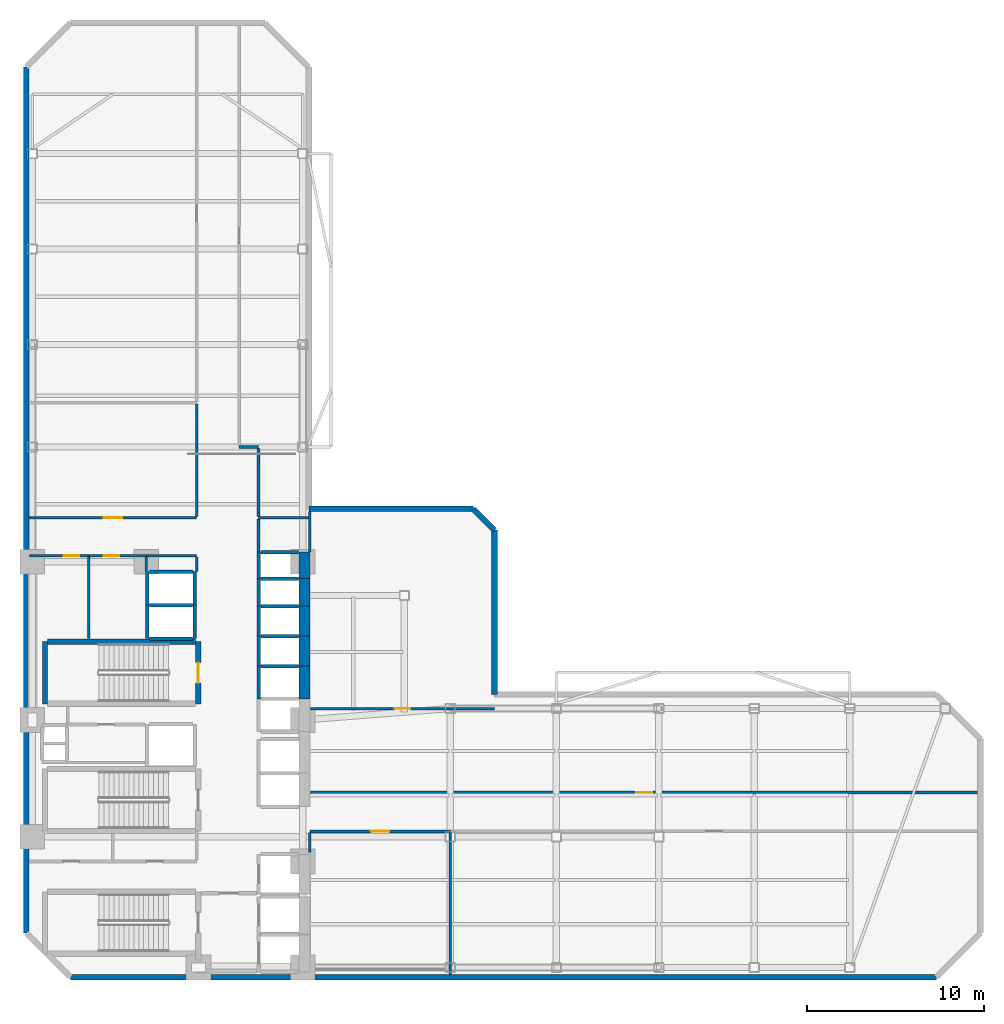
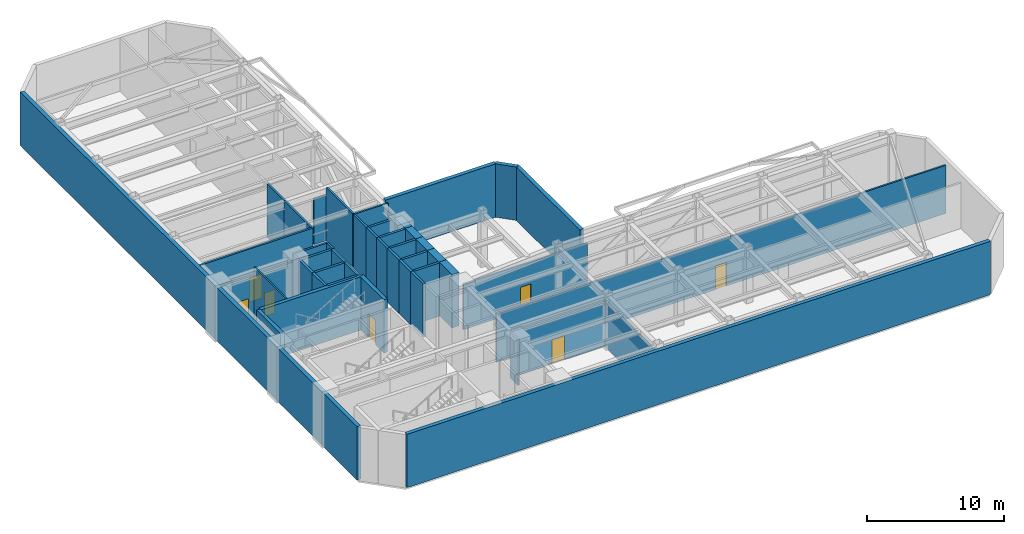
# One storey, part 4 of 7: 49 walls, 7 doors, 7 openings.
"""IFC4 building model written with IfcOpenShell, lengths in metres."""

from ifc_helpers import new_model, si_unit, direction, frame, frame_2d, origin, place, context, subcontext, project, spatial, rectangle, extrude, material, layer, layer_set, type_object, element, fill, save


model = new_model("IFC4")

# Units and contexts
model_context = context("Model", 3, precision=1e-05, world=origin(), true_north=direction((0.0, 1.0)))
body_context = subcontext(model_context, "Body", "Model", "MODEL_VIEW")
ifc_project = project(units=[si_unit("LENGTHUNIT", "METRE"), si_unit("AREAUNIT", "SQUARE_METRE"), si_unit("VOLUMEUNIT", "CUBIC_METRE"), si_unit("PLANEANGLEUNIT", "RADIAN"), si_unit("MASSUNIT", "GRAM", prefix="KILO")], contexts=[model_context])

# Site, building, storey
site_placement = place(None, origin())
site = spatial("IfcSite", under=ifc_project, at=site_placement, CompositionType="ELEMENT")
building_placement = place(site_placement, origin())
building = spatial("IfcBuilding", under=site, at=building_placement, Name="Mawjaban Terraces University", CompositionType="ELEMENT")
storey_placement = place(building_placement, frame((0.0, 0.0, 93.39990234375)))
storey = spatial("IfcBuildingStorey", under=building, at=storey_placement, Name="L22", CompositionType="ELEMENT", Elevation=93.39990234375)

# Walls
ifc_material_1 = material(Name="Concrete C70/85", Category="concrete")
ifc_layer_1 = layer(ifc_material_1, 0.60009765625)
ifc_layer_set_1 = layer_set([ifc_layer_1], Name="Concrete C70/85")
wall_type_1 = type_object("IfcWallType", Name="CoreShearWall_600", PredefinedType="SHEAR", material=ifc_layer_set_1)
wall_1_placement = place(storey_placement, frame((37.75, 15.75, 0.0), z_axis=(0.0, 0.0, 1.0), x_axis=(0.0, 1.0, 0.0)))
element("IfcWall", 1, at=wall_1_placement, inside=storey, type_object=wall_type_1, Name="L22 Lift OL-2 Hoistway Wall East", PredefinedType="SHEAR", context=body_context, shape_type="SweptSolid", body=[
    extrude(rectangle(XDim=1.85009765625, YDim=0.60009765625, at=frame_2d((0.925048828125, 0.0))), origin(), (0.0, 0.0, 1.0), 4.739990234375),
])
for number, where, z_axis, x_axis, name in (
    (2, (37.75, 17.60009765625, 0.0), (0.0, 0.0, 1.0), (0.0, 1.0, 0.0), "L22 Lift PL-M1 Hoistway Wall East"),
    (3, (37.75, 19.300048828125, 0.0), (0.0, 0.0, 1.0), (0.0, 1.0, 0.0), "L22 Lift PL-M2 Hoistway Wall East"),
):
    element("IfcWall", number, at=place(storey_placement, frame(where, z_axis=z_axis, x_axis=x_axis)), inside=storey, type_object=wall_type_1, Name=name, PredefinedType="SHEAR", context=body_context, shape_type="SweptSolid", body=[
        extrude(rectangle(XDim=1.699951171875, YDim=0.60009765625, at=frame_2d((0.85009765625, 0.0))), origin(), (0.0, 0.0, 1.0), 4.739990234375),
    ])
wall_2_placement = place(storey_placement, frame((37.75, 21.0, 0.0), z_axis=(0.0, 0.0, 1.0), x_axis=(0.0, 1.0, 0.0)))
element("IfcWall", 4, at=wall_2_placement, inside=storey, type_object=wall_type_1, Name="L22 Lift PL-L1 Hoistway Wall East", PredefinedType="SHEAR", context=body_context, shape_type="SweptSolid", body=[
    extrude(rectangle(XDim=1.550048828125, YDim=0.60009765625, at=frame_2d((0.77490234375, 0.0))), origin(), (0.0, 0.0, 1.0), 4.739990234375),
])
wall_3_placement = place(storey_placement, frame((37.75, 22.550048828125, 0.0), z_axis=(0.0, 0.0, 1.0), x_axis=(0.0, 1.0, 0.0)))
element("IfcWall", 5, at=wall_3_placement, inside=storey, type_object=wall_type_1, Name="L22 Lift PL-L2 Hoistway Wall East", PredefinedType="SHEAR", context=body_context, shape_type="SweptSolid", body=[
    extrude(rectangle(XDim=1.5, YDim=0.60009765625, at=frame_2d((0.75, 0.0))), origin(), (0.0, 0.0, 1.0), 4.739990234375),
])

# Wall, opening, door
ifc_material_2 = material(Name="Fire-rated gypsum board on steel stud", Category="steel")
ifc_layer_2 = layer(ifc_material_2, 0.159912109375)
ifc_layer_set_2 = layer_set([ifc_layer_2], Name="Fire-rated gypsum board on steel stud")
wall_type_2 = type_object("IfcWallType", Name="CorridorPartition_160", PredefinedType="PARTITIONING", material=ifc_layer_set_2)
wall_4_placement = place(storey_placement, frame((25.550048828125, 23.85009765625, 0.0), z_axis=(0.0, 0.0, 1.0), x_axis=(-1.0, 0.0, 0.0)))
wall_4 = element("IfcWall", 6, at=wall_4_placement, inside=storey, type_object=wall_type_2, Name="L22 Female Toilet Partition 3", PredefinedType="PARTITIONING", context=body_context, shape_type="SweptSolid", body=[
    extrude(rectangle(XDim=3.35009765625, YDim=0.159912109375, at=frame_2d((1.675048828125, 0.0))), origin(), (0.0, 0.0, 1.0), 4.045166015625),
])
opening_1_placement = place(wall_4_placement, frame((0.534912109375, 0.0, 0.0)))
opening_1 = element("IfcOpeningElement", 7, at=opening_1_placement, cuts=wall_4, Name="Opening ID-088", PredefinedType="OPENING", context=body_context, shape_type="SweptSolid", body=[
    extrude(rectangle(XDim=0.8798828125, YDim=2.10009765625, at=frame_2d((0.43994140625, 1.050048828125))), frame((0.0, 0.08984375, 0.0), z_axis=(0.0, -1.0, 0.0), x_axis=(1.0, 0.0, 0.0)), (0.0, 0.0, 1.0), 0.179931640625),
])
ifc_material_3 = material(Name="Powder-coated steel frame and solid acoustic timber leaf", Category="steel")
door_type_1 = type_object("IfcDoorType", Name="ToiletDoor_880x2100", OperationType="NOTDEFINED", PredefinedType="DOOR", material=ifc_material_3)
door_1_placement = place(opening_1_placement, origin())
door_1 = element("IfcDoor", 8, at=door_1_placement, inside=storey, type_object=door_type_1, Name="L22 Female Toilet Door", OperationType="SINGLE_SWING_RIGHT", OverallHeight=2.10009765625, OverallWidth=0.8798828125, PredefinedType="DOOR", context=body_context, shape_type="SweptSolid", body=[
    extrude(rectangle(XDim=0.8798828125, YDim=2.10009765625, at=frame_2d((0.43994140625, 1.050048828125))), frame((0.0, 0.02490234375, 0.0), z_axis=(0.0, -1.0, 0.0), x_axis=(1.0, 0.0, 0.0)), (0.0, 0.0, 1.0), 0.050048828125),
])
fill(opening_1, door_1)

wall_5_placement = place(storey_placement, frame((28.800048828125, 23.85009765625, 0.0), z_axis=(0.0, 0.0, 1.0), x_axis=(-1.0, 0.0, 0.0)))
wall_5 = element("IfcWall", 9, at=wall_5_placement, inside=storey, type_object=wall_type_2, Name="L22 Control Telemetry Room Partition 5", PredefinedType="PARTITIONING", context=body_context, shape_type="SweptSolid", body=[
    extrude(rectangle(XDim=3.25, YDim=0.159912109375, at=frame_2d((1.625, 0.0))), origin(), (0.0, 0.0, 1.0), 4.045166015625),
])
opening_2_placement = place(wall_5_placement, frame((1.52490234375, 0.0, 0.0)))
opening_2 = element("IfcOpeningElement", 10, at=opening_2_placement, cuts=wall_5, Name="Opening ID-090", PredefinedType="OPENING", context=body_context, shape_type="SweptSolid", body=[
    extrude(rectangle(XDim=0.89990234375, YDim=2.10009765625, at=frame_2d((0.449951171875, 1.050048828125))), frame((0.0, 0.08984375, 0.0), z_axis=(0.0, -1.0, 0.0), x_axis=(1.0, 0.0, 0.0)), (0.0, 0.0, 1.0), 0.179931640625),
])
door_type_2 = type_object("IfcDoorType", Name="OfficeDoor_900x2100", OperationType="NOTDEFINED", PredefinedType="DOOR", material=ifc_material_3)
door_2_placement = place(opening_2_placement, origin())
door_2 = element("IfcDoor", 11, at=door_2_placement, inside=storey, type_object=door_type_2, Name="L22 Control Telemetry Room Door", OperationType="SINGLE_SWING_LEFT", OverallHeight=2.10009765625, OverallWidth=0.89990234375, PredefinedType="DOOR", context=body_context, shape_type="SweptSolid", body=[
    extrude(rectangle(XDim=0.89990234375, YDim=2.10009765625, at=frame_2d((0.449951171875, 1.050048828125))), frame((0.0, 0.02490234375, 0.0), z_axis=(0.0, -1.0, 0.0), x_axis=(1.0, 0.0, 0.0)), (0.0, 0.0, 1.0), 0.050048828125),
])
fill(opening_2, door_2)

# Wall
wall_6_placement = place(storey_placement, frame((28.800048828125, 23.85009765625, 0.0), z_axis=(0.0, 0.0, 1.0), x_axis=(1.0, 0.0, 0.0)))
element("IfcWall", 12, at=wall_6_placement, inside=storey, type_object=wall_type_2, Name="L22 North Core Cross-Corridor Partition 6", PredefinedType="PARTITIONING", context=body_context, shape_type="SweptSolid", body=[
    extrude(rectangle(XDim=2.849853515625, YDim=0.159912109375, at=frame_2d((1.4248046875, 0.0))), origin(), (0.0, 0.0, 1.0), 4.739990234375),
])

# Wall, opening, door
wall_7_placement = place(storey_placement, frame((31.64990234375, 26.0, 0.0), z_axis=(0.0, 0.0, 1.0), x_axis=(-1.0, 0.0, 0.0)))
wall_7 = element("IfcWall", 13, at=wall_7_placement, inside=storey, type_object=wall_type_2, Name="L22 North Core Cross-Corridor Partition 9", PredefinedType="PARTITIONING", context=body_context, shape_type="SweptSolid", body=[
    extrude(rectangle(XDim=9.494873046875, YDim=0.159912109375, at=frame_2d((4.74755859375, 0.0))), origin(), (0.0, 0.0, 1.0), 4.739990234375),
])
opening_3_placement = place(wall_7_placement, frame((4.221923828125, 0.0, 0.0)))
opening_3 = element("IfcOpeningElement", 14, at=opening_3_placement, cuts=wall_7, Name="Opening FD-105", PredefinedType="OPENING", context=body_context, shape_type="SweptSolid", body=[
    extrude(rectangle(XDim=1.050048828125, YDim=2.14990234375, at=frame_2d((0.52490234375, 1.074951171875))), frame((0.0, 0.08984375, 0.0), z_axis=(0.0, -1.0, 0.0), x_axis=(1.0, 0.0, 0.0)), (0.0, 0.0, 1.0), 0.179931640625),
])
ifc_material_4 = material(Name="Powder-coated steel frame and fire-rated steel-faced leaf", Category="steel")
door_type_3 = type_object("IfcDoorType", Name="FireLobbyDoor_1050x2150", OperationType="NOTDEFINED", PredefinedType="DOOR", material=ifc_material_4)
door_3_placement = place(opening_3_placement, origin())
door_3 = element("IfcDoor", 15, at=door_3_placement, inside=storey, type_object=door_type_3, Name="L22 Designated Smoke-Protected Refuge Area North Door", OperationType="SINGLE_SWING_LEFT", OverallHeight=2.14990234375, OverallWidth=1.050048828125, PredefinedType="DOOR", context=body_context, shape_type="SweptSolid", body=[
    extrude(rectangle(XDim=1.050048828125, YDim=2.14990234375, at=frame_2d((0.52490234375, 1.074951171875))), frame((0.0, 0.02490234375, 0.0), z_axis=(0.0, -1.0, 0.0), x_axis=(1.0, 0.0, 0.0)), (0.0, 0.0, 1.0), 0.050048828125),
])
fill(opening_3, door_3)

# Wall
wall_8_placement = place(storey_placement, frame((35.14990234375, 30.0, 0.0), z_axis=(0.0, 0.0, 1.0), x_axis=(-1.0, 0.0, 0.0)))
element("IfcWall", 16, at=wall_8_placement, inside=storey, type_object=wall_type_2, Name="L22 North Stair Refuge Vestibule Lobby Partition 13", PredefinedType="PARTITIONING", context=body_context, shape_type="SweptSolid", body=[
    extrude(rectangle(XDim=1.099853515625, YDim=0.159912109375, at=frame_2d((0.5498046875, 0.0))), origin(), (0.0, 0.0, 1.0), 4.045166015625),
])

# Wall, opening, door
wall_9_placement = place(storey_placement, frame((46.0, 8.25, 0.0), z_axis=(0.0, 0.0, 1.0), x_axis=(-1.0, 0.0, 0.0)))
wall_9 = element("IfcWall", 17, at=wall_9_placement, inside=storey, type_object=wall_type_2, Name="L22 Designated Smoke-Protected Refuge Area East Partition 14", PredefinedType="PARTITIONING", context=body_context, shape_type="SweptSolid", body=[
    extrude(rectangle(XDim=7.949951171875, YDim=0.159912109375, at=frame_2d((3.97509765625, 0.0))), origin(), (0.0, 0.0, 1.0), 4.045166015625),
])
opening_4_placement = place(wall_9_placement, frame((3.449951171875, 0.0, 0.0)))
opening_4 = element("IfcOpeningElement", 18, at=opening_4_placement, cuts=wall_9, Name="Opening FD-105", PredefinedType="OPENING", context=body_context, shape_type="SweptSolid", body=[
    extrude(rectangle(XDim=1.050048828125, YDim=2.14990234375, at=frame_2d((0.52490234375, 1.074951171875))), frame((0.0, 0.08984375, 0.0), z_axis=(0.0, -1.0, 0.0), x_axis=(1.0, 0.0, 0.0)), (0.0, 0.0, 1.0), 0.179931640625),
])
door_4_placement = place(opening_4_placement, origin())
door_4 = element("IfcDoor", 19, at=door_4_placement, inside=storey, type_object=door_type_3, Name="L22 Designated Smoke-Protected Refuge Area East Door", OperationType="SINGLE_SWING_RIGHT", OverallHeight=2.14990234375, OverallWidth=1.050048828125, PredefinedType="DOOR", context=body_context, shape_type="SweptSolid", body=[
    extrude(rectangle(XDim=1.050048828125, YDim=2.14990234375, at=frame_2d((0.52490234375, 1.074951171875))), frame((0.0, 0.02490234375, 0.0), z_axis=(0.0, -1.0, 0.0), x_axis=(1.0, 0.0, 0.0)), (0.0, 0.0, 1.0), 0.050048828125),
])
fill(opening_4, door_4)

# Walls
wall_10_placement = place(storey_placement, frame((31.64990234375, 23.77490234375, 0.0), z_axis=(0.0, 0.0, 1.0), x_axis=(0.0, -1.0, 0.0)))
element("IfcWall", 20, at=wall_10_placement, inside=storey, type_object=wall_type_2, Name="L22 Passenger Lift Lobby Partition 24", PredefinedType="PARTITIONING", context=body_context, shape_type="SweptSolid", body=[
    extrude(rectangle(XDim=0.824951171875, YDim=0.159912109375, at=frame_2d((0.41259765625, 0.0))), origin(), (0.0, 0.0, 1.0), 4.739990234375),
])
wall_11_placement = place(storey_placement, frame((31.64990234375, 30.0, 0.0), z_axis=(0.0, 0.0, 1.0), x_axis=(0.0, -1.0, 0.0)))
element("IfcWall", 21, at=wall_11_placement, inside=storey, type_object=wall_type_2, Name="L22 North Stair Refuge Vestibule Lobby Partition 25", PredefinedType="PARTITIONING", context=body_context, shape_type="SweptSolid", body=[
    extrude(rectangle(XDim=3.925048828125, YDim=0.159912109375, at=frame_2d((1.96240234375, 0.0))), origin(), (0.0, 0.0, 1.0), 4.739990234375),
])
wall_12_placement = place(storey_placement, frame((31.64990234375, 30.0, 0.0), z_axis=(0.0, 0.0, 1.0), x_axis=(0.0, 1.0, 0.0)))
element("IfcWall", 22, at=wall_12_placement, inside=storey, type_object=wall_type_2, Name="L22 Designated Smoke-Protected Refuge Area North Partition 26", PredefinedType="PARTITIONING", context=body_context, shape_type="SweptSolid", body=[
    extrude(rectangle(XDim=2.425048828125, YDim=0.159912109375, at=frame_2d((1.21240234375, 0.0))), origin(), (0.0, 0.0, 1.0), 4.739990234375),
])
wall_13_placement = place(storey_placement, frame((35.14990234375, 24.070068359375, 0.0), z_axis=(0.0, 0.0, 1.0), x_axis=(0.0, 1.0, 0.0)))
element("IfcWall", 23, at=wall_13_placement, inside=storey, type_object=wall_type_2, Name="L22 North Core Cross-Corridor Partition 29", PredefinedType="PARTITIONING", context=body_context, shape_type="SweptSolid", body=[
    extrude(rectangle(XDim=1.863037109375, YDim=0.159912109375, at=frame_2d((0.931640625, 0.0))), origin(), (0.0, 0.0, 1.0), 4.739990234375),
])
wall_14_placement = place(storey_placement, frame((35.14990234375, 26.06689453125, 0.0), z_axis=(0.0, 0.0, 1.0), x_axis=(0.0, 1.0, 0.0)))
element("IfcWall", 24, at=wall_14_placement, inside=storey, type_object=wall_type_2, Name="L22 North Stair Refuge Vestibule Lobby Partition 30", PredefinedType="PARTITIONING", context=body_context, shape_type="SweptSolid", body=[
    extrude(rectangle(XDim=3.858154296875, YDim=0.159912109375, at=frame_2d((1.92919921875, 0.0))), origin(), (0.0, 0.0, 1.0), 4.739990234375),
])
wall_15_placement = place(storey_placement, frame((38.050048828125, 7.050048828125, 0.0), z_axis=(0.0, 0.0, 1.0), x_axis=(0.0, 1.0, 0.0)))
element("IfcWall", 25, at=wall_15_placement, inside=storey, type_object=wall_type_2, Name="L22 Core Stair and Lift Lobby East Partition 31", PredefinedType="PARTITIONING", context=body_context, shape_type="SweptSolid", body=[
    extrude(rectangle(XDim=1.125, YDim=0.159912109375, at=frame_2d((0.5625, 0.0))), origin(), (0.0, 0.0, 1.0), 4.045166015625),
])
wall_16_placement = place(storey_placement, frame((46.0, 0.155029296875, 0.0), z_axis=(0.0, 0.0, 1.0), x_axis=(0.0, 1.0, 0.0)))
element("IfcWall", 26, at=wall_16_placement, inside=storey, type_object=wall_type_2, Name="L22 Designated Smoke-Protected Refuge Area East Partition 33", PredefinedType="PARTITIONING", context=body_context, shape_type="SweptSolid", body=[
    extrude(rectangle(XDim=8.02001953125, YDim=0.159912109375, at=frame_2d((4.010009765625, 0.0))), origin(), (0.0, 0.0, 1.0), 4.045166015625),
])
ifc_material_5 = material(Name="Insulated terracotta rainscreen on concrete backup C40/50", Category="masonry")
ifc_layer_3 = layer(ifc_material_5, 0.320068359375)
ifc_layer_set_3 = layer_set([ifc_layer_3], Name="Insulated terracotta rainscreen on concrete backup C40/50")
wall_type_3 = type_object("IfcWallType", Name="ExtTerracottaWall_320", PredefinedType="SOLIDWALL", material=ifc_layer_set_3)
wall_17_placement = place(storey_placement, frame((24.5, 0.0, 0.0), z_axis=(0.0, 0.0, 1.0), x_axis=(1.0, 0.0, 0.0)))
element("IfcWall", 27, at=wall_17_placement, inside=storey, type_object=wall_type_3, Name="L22 Exterior Terracotta Wall 1", PredefinedType="SOLIDWALL", context=body_context, shape_type="SweptSolid", body=[
    extrude(rectangle(XDim=49.0, YDim=0.320068359375, at=frame_2d((24.5, 0.0))), origin(), (0.0, 0.0, 1.0), 4.739990234375),
])
wall_18_placement = place(storey_placement, frame((48.5, 16.0, 0.0), z_axis=(0.0, 0.0, 1.0), x_axis=(0.0, 1.0, 0.0)))
element("IfcWall", 28, at=wall_18_placement, inside=storey, type_object=wall_type_3, Name="L22 Exterior Terracotta Wall 6", PredefinedType="SOLIDWALL", context=body_context, shape_type="SweptSolid", body=[
    extrude(rectangle(XDim=9.300048828125, YDim=0.320068359375, at=frame_2d((4.64990234375, 0.0))), origin(), (0.0, 0.0, 1.0), 4.739990234375),
])
wall_19_placement = place(storey_placement, frame((48.5, 25.300048828125, 0.0), z_axis=(0.0, 0.0, 1.0), x_axis=(-0.707106781187, 0.707106781187, 0.0)))
element("IfcWall", 29, at=wall_19_placement, inside=storey, type_object=wall_type_3, Name="L22 Exterior Terracotta Wall 7", PredefinedType="SOLIDWALL", context=body_context, shape_type="SweptSolid", body=[
    extrude(rectangle(XDim=1.697021484375, YDim=0.320068359375, at=frame_2d((0.8486328125, 0.0))), origin(), (0.0, 0.0, 1.0), 4.739990234375),
])
wall_20_placement = place(storey_placement, frame((47.300048828125, 26.5, 0.0), z_axis=(0.0, 0.0, 1.0), x_axis=(-1.0, 0.0, 0.0)))
element("IfcWall", 30, at=wall_20_placement, inside=storey, type_object=wall_type_3, Name="L22 Exterior Terracotta Wall 8", PredefinedType="SOLIDWALL", context=body_context, shape_type="SweptSolid", body=[
    extrude(rectangle(XDim=9.300048828125, YDim=0.320068359375, at=frame_2d((4.64990234375, 0.0))), origin(), (0.0, 0.0, 1.0), 4.739990234375),
])
wall_21_placement = place(storey_placement, frame((22.0, 51.5, 0.0), z_axis=(0.0, 0.0, 1.0), x_axis=(0.0, -1.0, 0.0)))
element("IfcWall", 31, at=wall_21_placement, inside=storey, type_object=wall_type_3, Name="L22 Exterior Terracotta Wall 13", PredefinedType="SOLIDWALL", context=body_context, shape_type="SweptSolid", body=[
    extrude(rectangle(XDim=49.0, YDim=0.320068359375, at=frame_2d((24.5, 0.0))), origin(), (0.0, 0.0, 1.0), 4.739990234375),
])
ifc_material_6 = material(Name="Concrete C40/50", Category="concrete")
ifc_layer_4 = layer(ifc_material_6, 0.199951171875)
ifc_layer_set_4 = layer_set([ifc_layer_4], Name="Concrete C40/50")
wall_type_4 = type_object("IfcWallType", Name="FireLobbyWall_200", PredefinedType="SOLIDWALL", material=ifc_layer_set_4)
wall_22_placement = place(storey_placement, frame((35.14990234375, 17.60009765625, 0.0), z_axis=(0.0, 0.0, 1.0), x_axis=(0.0, -1.0, 0.0)))
element("IfcWall", 32, at=wall_22_placement, inside=storey, type_object=wall_type_4, Name="L22 Lift OL-2 Hoistway Wall West", PredefinedType="SOLIDWALL", context=body_context, shape_type="SweptSolid", body=[
    extrude(rectangle(XDim=1.85009765625, YDim=0.199951171875, at=frame_2d((0.925048828125, 0.0))), origin(), (0.0, 0.0, 1.0), 4.739990234375),
])
wall_23_placement = place(storey_placement, frame((37.419921875, 17.60009765625, 0.0), z_axis=(0.0, 0.0, 1.0), x_axis=(-1.0, 0.0, 0.0)))
element("IfcWall", 33, at=wall_23_placement, inside=storey, type_object=wall_type_4, Name="L22 Lift OL-2 Hoistway Wall North", PredefinedType="SOLIDWALL", context=body_context, shape_type="SweptSolid", body=[
    extrude(rectangle(XDim=2.139892578125, YDim=0.199951171875, at=frame_2d((1.06982421875, 0.0))), origin(), (0.0, 0.0, 1.0), 4.739990234375),
])
wall_24_placement = place(storey_placement, frame((35.14990234375, 19.300048828125, 0.0), z_axis=(0.0, 0.0, 1.0), x_axis=(0.0, -1.0, 0.0)))
element("IfcWall", 34, at=wall_24_placement, inside=storey, type_object=wall_type_4, Name="L22 Lift PL-M1 Hoistway Wall West", PredefinedType="SOLIDWALL", context=body_context, shape_type="SweptSolid", body=[
    extrude(rectangle(XDim=1.699951171875, YDim=0.199951171875, at=frame_2d((0.85009765625, 0.0))), origin(), (0.0, 0.0, 1.0), 4.739990234375),
])
wall_25_placement = place(storey_placement, frame((37.419921875, 19.300048828125, 0.0), z_axis=(0.0, 0.0, 1.0), x_axis=(-1.0, 0.0, 0.0)))
element("IfcWall", 35, at=wall_25_placement, inside=storey, type_object=wall_type_4, Name="L22 Lift PL-M1 Hoistway Wall North", PredefinedType="SOLIDWALL", context=body_context, shape_type="SweptSolid", body=[
    extrude(rectangle(XDim=2.139892578125, YDim=0.199951171875, at=frame_2d((1.06982421875, 0.0))), origin(), (0.0, 0.0, 1.0), 4.739990234375),
])
wall_26_placement = place(storey_placement, frame((35.14990234375, 21.0, 0.0), z_axis=(0.0, 0.0, 1.0), x_axis=(0.0, -1.0, 0.0)))
element("IfcWall", 36, at=wall_26_placement, inside=storey, type_object=wall_type_4, Name="L22 Lift PL-M2 Hoistway Wall West", PredefinedType="SOLIDWALL", context=body_context, shape_type="SweptSolid", body=[
    extrude(rectangle(XDim=1.699951171875, YDim=0.199951171875, at=frame_2d((0.85009765625, 0.0))), origin(), (0.0, 0.0, 1.0), 4.739990234375),
])
wall_27_placement = place(storey_placement, frame((37.419921875, 21.0, 0.0), z_axis=(0.0, 0.0, 1.0), x_axis=(-1.0, 0.0, 0.0)))
element("IfcWall", 37, at=wall_27_placement, inside=storey, type_object=wall_type_4, Name="L22 Lift PL-M2 Hoistway Wall North", PredefinedType="SOLIDWALL", context=body_context, shape_type="SweptSolid", body=[
    extrude(rectangle(XDim=2.139892578125, YDim=0.199951171875, at=frame_2d((1.06982421875, 0.0))), origin(), (0.0, 0.0, 1.0), 4.739990234375),
])
for number, where, z_axis, x_axis, name in (
    (38, (28.85009765625, 21.050048828125, 0.0), (0.0, 0.0, 1.0), (0.0, -1.0, 0.0), "L22 Lift PL-M3 Hoistway Wall West"),
    (39, (31.550048828125, 19.14990234375, 0.0), (0.0, 0.0, 1.0), (0.0, 1.0, 0.0), "L22 Lift PL-M3 Hoistway Wall East"),
):
    element("IfcWall", number, at=place(storey_placement, frame(where, z_axis=z_axis, x_axis=x_axis)), inside=storey, type_object=wall_type_4, Name=name, PredefinedType="SOLIDWALL", context=body_context, shape_type="SweptSolid", body=[
        extrude(rectangle(XDim=1.900146484375, YDim=0.199951171875, at=frame_2d((0.9501953125, 0.0))), origin(), (0.0, 0.0, 1.0), 4.739990234375),
    ])
for number, where, z_axis, x_axis, name in (
    (40, (28.97998046875, 19.14990234375, 0.0), (0.0, 0.0, 1.0), (1.0, 0.0, 0.0), "L22 Lift PL-M3 Hoistway Wall South"),
    (41, (31.419921875, 21.050048828125, 0.0), (0.0, 0.0, 1.0), (-1.0, 0.0, 0.0), "L22 Lift PL-M3 Hoistway Wall North"),
):
    element("IfcWall", number, at=place(storey_placement, frame(where, z_axis=z_axis, x_axis=x_axis)), inside=storey, type_object=wall_type_4, Name=name, PredefinedType="SOLIDWALL", context=body_context, shape_type="SweptSolid", body=[
        extrude(rectangle(XDim=2.43994140625, YDim=0.199951171875, at=frame_2d((1.219970703125, 0.0))), origin(), (0.0, 0.0, 1.0), 4.739990234375),
    ])
wall_28_placement = place(storey_placement, frame((35.14990234375, 22.550048828125, 0.0), z_axis=(0.0, 0.0, 1.0), x_axis=(0.0, -1.0, 0.0)))
element("IfcWall", 42, at=wall_28_placement, inside=storey, type_object=wall_type_4, Name="L22 Lift PL-L1 Hoistway Wall West", PredefinedType="SOLIDWALL", context=body_context, shape_type="SweptSolid", body=[
    extrude(rectangle(XDim=1.550048828125, YDim=0.199951171875, at=frame_2d((0.77490234375, 0.0))), origin(), (0.0, 0.0, 1.0), 4.739990234375),
])
wall_29_placement = place(storey_placement, frame((37.419921875, 22.550048828125, 0.0), z_axis=(0.0, 0.0, 1.0), x_axis=(-1.0, 0.0, 0.0)))
element("IfcWall", 43, at=wall_29_placement, inside=storey, type_object=wall_type_4, Name="L22 Lift PL-L1 Hoistway Wall North", PredefinedType="SOLIDWALL", context=body_context, shape_type="SweptSolid", body=[
    extrude(rectangle(XDim=2.139892578125, YDim=0.199951171875, at=frame_2d((1.06982421875, 0.0))), origin(), (0.0, 0.0, 1.0), 4.739990234375),
])
wall_30_placement = place(storey_placement, frame((35.14990234375, 24.050048828125, 0.0), z_axis=(0.0, 0.0, 1.0), x_axis=(0.0, -1.0, 0.0)))
element("IfcWall", 44, at=wall_30_placement, inside=storey, type_object=wall_type_4, Name="L22 Lift PL-L2 Hoistway Wall West", PredefinedType="SOLIDWALL", context=body_context, shape_type="SweptSolid", body=[
    extrude(rectangle(XDim=1.5, YDim=0.199951171875, at=frame_2d((0.75, 0.0))), origin(), (0.0, 0.0, 1.0), 4.739990234375),
])
wall_31_placement = place(storey_placement, frame((37.419921875, 24.050048828125, 0.0), z_axis=(0.0, 0.0, 1.0), x_axis=(-1.0, 0.0, 0.0)))
element("IfcWall", 45, at=wall_31_placement, inside=storey, type_object=wall_type_4, Name="L22 Lift PL-L2 Hoistway Wall North", PredefinedType="SOLIDWALL", context=body_context, shape_type="SweptSolid", body=[
    extrude(rectangle(XDim=2.139892578125, YDim=0.199951171875, at=frame_2d((1.06982421875, 0.0))), origin(), (0.0, 0.0, 1.0), 4.739990234375),
])
for number, where, z_axis, x_axis, name in (
    (46, (28.85009765625, 22.949951171875, 0.0), (0.0, 0.0, 1.0), (0.0, -1.0, 0.0), "L22 Lift PL-L3 Hoistway Wall West"),
    (47, (31.550048828125, 21.050048828125, 0.0), (0.0, 0.0, 1.0), (0.0, 1.0, 0.0), "L22 Lift PL-L3 Hoistway Wall East"),
):
    element("IfcWall", number, at=place(storey_placement, frame(where, z_axis=z_axis, x_axis=x_axis)), inside=storey, type_object=wall_type_4, Name=name, PredefinedType="SOLIDWALL", context=body_context, shape_type="SweptSolid", body=[
        extrude(rectangle(XDim=1.89990234375, YDim=0.199951171875, at=frame_2d((0.949951171875, 0.0))), origin(), (0.0, 0.0, 1.0), 4.739990234375),
    ])
wall_32_placement = place(storey_placement, frame((31.429931640625, 22.949951171875, 0.0), z_axis=(0.0, 0.0, 1.0), x_axis=(-1.0, 0.0, 0.0)))
element("IfcWall", 48, at=wall_32_placement, inside=storey, type_object=wall_type_4, Name="L22 Lift PL-L3 Hoistway Wall North", PredefinedType="SOLIDWALL", context=body_context, shape_type="SweptSolid", body=[
    extrude(rectangle(XDim=2.4599609375, YDim=0.199951171875, at=frame_2d((1.22998046875, 0.0))), origin(), (0.0, 0.0, 1.0), 4.739990234375),
])
ifc_material_7 = material(Name="Moisture-resistant gypsum board on steel stud", Category="steel")
ifc_layer_5 = layer(ifc_material_7, 0.14501953125)
ifc_layer_set_5 = layer_set([ifc_layer_5], Name="Moisture-resistant gypsum board on steel stud")
wall_type_5 = type_object("IfcWallType", Name="LabPartition_145", PredefinedType="PARTITIONING", material=ifc_layer_set_5)
wall_33_placement = place(storey_placement, frame((35.14990234375, 26.0, 0.0), z_axis=(0.0, 0.0, 1.0), x_axis=(1.0, 0.0, 0.0)))
element("IfcWall", 49, at=wall_33_placement, inside=storey, type_object=wall_type_5, Name="L22 Intermediate Chilled Water Heat Exchanger Room Partition 12", PredefinedType="PARTITIONING", context=body_context, shape_type="SweptSolid", body=[
    extrude(rectangle(XDim=2.85009765625, YDim=0.14501953125, at=frame_2d((1.425048828125, 0.0))), origin(), (0.0, 0.0, 1.0), 4.739990234375),
])

# Wall, opening, door
wall_34_placement = place(storey_placement, frame((48.5, 15.199951171875, 0.0), z_axis=(0.0, 0.0, 1.0), x_axis=(-1.0, 0.0, 0.0)))
wall_34 = element("IfcWall", 50, at=wall_34_placement, inside=storey, type_object=wall_type_5, Name="L22 Heat Recovery Ventilation Fan Room Partition 16", PredefinedType="PARTITIONING", context=body_context, shape_type="SweptSolid", body=[
    extrude(rectangle(XDim=10.419921875, YDim=0.14501953125, at=frame_2d((5.2099609375, 0.0))), origin(), (0.0, 0.0, 1.0), 4.045166015625),
])
opening_5_placement = place(wall_34_placement, frame((4.760009765625, 0.0, 0.0)))
opening_5 = element("IfcOpeningElement", 51, at=opening_5_placement, cuts=wall_34, Name="Opening ID-090", PredefinedType="OPENING", context=body_context, shape_type="SweptSolid", body=[
    extrude(rectangle(XDim=0.89990234375, YDim=2.10009765625, at=frame_2d((0.449951171875, 1.050048828125))), frame((0.0, 0.08251953125, 0.0), z_axis=(0.0, -1.0, 0.0), x_axis=(1.0, 0.0, 0.0)), (0.0, 0.0, 1.0), 0.1650390625),
])
door_5_placement = place(opening_5_placement, origin())
door_5 = element("IfcDoor", 52, at=door_5_placement, inside=storey, type_object=door_type_2, Name="L22 Booster Pump and Break Tank Plant Room Door", OperationType="SINGLE_SWING_RIGHT", OverallHeight=2.10009765625, OverallWidth=0.89990234375, PredefinedType="DOOR", context=body_context, shape_type="SweptSolid", body=[
    extrude(rectangle(XDim=0.89990234375, YDim=2.10009765625, at=frame_2d((0.449951171875, 1.050048828125))), frame((0.0, 0.02490234375, 0.0), z_axis=(0.0, -1.0, 0.0), x_axis=(1.0, 0.0, 0.0)), (0.0, 0.0, 1.0), 0.050048828125),
])
fill(opening_5, door_5)

wall_35_placement = place(storey_placement, frame((75.844970703125, 10.449951171875, 0.0), z_axis=(0.0, 0.0, 1.0), x_axis=(-1.0, 0.0, 0.0)))
wall_35 = element("IfcWall", 53, at=wall_35_placement, inside=storey, type_object=wall_type_5, Name="L22 Mechanical Plant Service Corridor East Partition 18", PredefinedType="PARTITIONING", context=body_context, shape_type="SweptSolid", body=[
    extrude(rectangle(XDim=37.764892578125, YDim=0.14501953125, at=frame_2d((18.88232421875, 0.0))), origin(), (0.0, 0.0, 1.0), 4.277099609375),
])
opening_6_placement = place(wall_35_placement, frame((18.43310546875, 0.0, 0.0)))
opening_6 = element("IfcOpeningElement", 54, at=opening_6_placement, cuts=wall_35, Name="Opening ID-090", PredefinedType="OPENING", context=body_context, shape_type="SweptSolid", body=[
    extrude(rectangle(XDim=0.89990234375, YDim=2.10009765625, at=frame_2d((0.449951171875, 1.050048828125))), frame((0.0, 0.08251953125, 0.0), z_axis=(0.0, -1.0, 0.0), x_axis=(1.0, 0.0, 0.0)), (0.0, 0.0, 1.0), 0.1650390625),
])
door_6_placement = place(opening_6_placement, origin())
door_6 = element("IfcDoor", 55, at=door_6_placement, inside=storey, type_object=door_type_2, Name="L22 Heat Recovery Ventilation Fan Room Door", OperationType="SINGLE_SWING_LEFT", OverallHeight=2.10009765625, OverallWidth=0.89990234375, PredefinedType="DOOR", context=body_context, shape_type="SweptSolid", body=[
    extrude(rectangle(XDim=0.89990234375, YDim=2.10009765625, at=frame_2d((0.449951171875, 1.050048828125))), frame((0.0, 0.02490234375, 0.0), z_axis=(0.0, -1.0, 0.0), x_axis=(1.0, 0.0, 0.0)), (0.0, 0.0, 1.0), 0.050048828125),
])
fill(opening_6, door_6)

# Walls
wall_36_placement = place(storey_placement, frame((28.800048828125, 22.949951171875, 0.0), z_axis=(0.0, 0.0, 1.0), x_axis=(0.0, 1.0, 0.0)))
element("IfcWall", 56, at=wall_36_placement, inside=storey, type_object=wall_type_5, Name="L22 Control Telemetry Room Partition 22", PredefinedType="PARTITIONING", context=body_context, shape_type="SweptSolid", body=[
    extrude(rectangle(XDim=0.824951171875, YDim=0.14501953125, at=frame_2d((0.41259765625, 0.0))), origin(), (0.0, 0.0, 1.0), 4.739990234375),
])
wall_37_placement = place(storey_placement, frame((38.050048828125, 26.344970703125, 0.0), z_axis=(0.0, 0.0, 1.0), x_axis=(0.0, -1.0, 0.0)))
element("IfcWall", 57, at=wall_37_placement, inside=storey, type_object=wall_type_5, Name="L22 Booster Pump and Break Tank Plant Room Partition 32", PredefinedType="PARTITIONING", context=body_context, shape_type="SweptSolid", body=[
    extrude(rectangle(XDim=2.294921875, YDim=0.14501953125, at=frame_2d((1.1474609375, 0.0))), origin(), (0.0, 0.0, 1.0), 4.045166015625),
])
ifc_material_8 = material(Name="Concrete C60/75", Category="concrete")
ifc_layer_6 = layer(ifc_material_8, 0.300048828125)
ifc_layer_set_6 = layer_set([ifc_layer_6], Name="Concrete C60/75")
wall_type_6 = type_object("IfcWallType", Name="StairShaftWall_300", PredefinedType="SHEAR", material=ifc_layer_set_6)
wall_38_placement = place(storey_placement, frame((31.580078125, 18.97998046875, 0.0), z_axis=(0.0, 0.0, 1.0), x_axis=(-1.0, 0.0, 0.0)))
element("IfcWall", 58, at=wall_38_placement, inside=storey, type_object=wall_type_6, Name="L22 ST-2 Stair Shaft Wall 1", PredefinedType="SHEAR", context=body_context, shape_type="SweptSolid", body=[
    extrude(rectangle(XDim=8.360107421875, YDim=0.300048828125, at=frame_2d((4.18017578125, 0.0))), origin(), (0.0, 0.0, 1.0), 4.739990234375),
])
wall_39_placement = place(storey_placement, frame((23.070068359375, 18.97998046875, 0.0), z_axis=(0.0, 0.0, 1.0), x_axis=(0.0, -1.0, 0.0)))
element("IfcWall", 59, at=wall_39_placement, inside=storey, type_object=wall_type_6, Name="L22 ST-2 Stair Shaft Wall 2", PredefinedType="SHEAR", context=body_context, shape_type="SweptSolid", body=[
    extrude(rectangle(XDim=3.510009765625, YDim=0.300048828125, at=frame_2d((1.7548828125, 0.0))), origin(), (0.0, 0.0, 1.0), 4.739990234375),
])

# Wall, opening, door
wall_40_placement = place(storey_placement, frame((31.72998046875, 15.469970703125, 0.0), z_axis=(0.0, 0.0, 1.0), x_axis=(0.0, 1.0, 0.0)))
wall_40 = element("IfcWall", 60, at=wall_40_placement, inside=storey, type_object=wall_type_6, Name="L22 ST-2 Stair Shaft Wall 4", PredefinedType="SHEAR", context=body_context, shape_type="SweptSolid", body=[
    extrude(rectangle(XDim=3.510009765625, YDim=0.300048828125, at=frame_2d((1.7548828125, 0.0))), origin(), (0.0, 0.0, 1.0), 4.739990234375),
])
opening_7_placement = place(wall_40_placement, frame((1.179931640625, 0.0, 0.0)))
opening_7 = element("IfcOpeningElement", 61, at=opening_7_placement, cuts=wall_40, Name="Opening FD-115", PredefinedType="OPENING", context=body_context, shape_type="SweptSolid", body=[
    extrude(rectangle(XDim=1.14990234375, YDim=2.14990234375, at=frame_2d((0.574951171875, 1.074951171875))), frame((0.0, 0.159912109375, 0.0), z_axis=(0.0, -1.0, 0.0), x_axis=(1.0, 0.0, 0.0)), (0.0, 0.0, 1.0), 0.320068359375),
])
door_type_4 = type_object("IfcDoorType", Name="FireStairDoor_1150x2150", OperationType="NOTDEFINED", PredefinedType="DOOR", material=ifc_material_4)
door_7_placement = place(opening_7_placement, origin())
door_7 = element("IfcDoor", 62, at=door_7_placement, inside=storey, type_object=door_type_4, Name="L22 ST-2 Pressurised Stair Fire Door", OperationType="SINGLE_SWING_RIGHT", OverallHeight=2.14990234375, OverallWidth=1.14990234375, PredefinedType="DOOR", context=body_context, shape_type="SweptSolid", body=[
    extrude(rectangle(XDim=1.14990234375, YDim=2.14990234375, at=frame_2d((0.574951171875, 1.074951171875))), frame((0.0, 0.02490234375, 0.0), z_axis=(0.0, -1.0, 0.0), x_axis=(1.0, 0.0, 0.0)), (0.0, 0.0, 1.0), 0.050048828125),
])
fill(opening_7, door_7)

# Wall
ifc_material_9 = material(Name="Cement-board wet-room partition", Category="masonry")
ifc_layer_7 = layer(ifc_material_9, 0.135009765625)
ifc_layer_set_7 = layer_set([ifc_layer_7], Name="Cement-board wet-room partition")
wall_type_7 = type_object("IfcWallType", Name="WetRoomPartition_135", PredefinedType="PARTITIONING", material=ifc_layer_set_7)
wall_41_placement = place(storey_placement, frame((25.550048828125, 19.159912109375, 0.0), z_axis=(0.0, 0.0, 1.0), x_axis=(0.0, 1.0, 0.0)))
element("IfcWall", 63, at=wall_41_placement, inside=storey, type_object=wall_type_7, Name="L22 Female Toilet Partition 20", PredefinedType="PARTITIONING", context=body_context, shape_type="SweptSolid", body=[
    extrude(rectangle(XDim=4.614990234375, YDim=0.135009765625, at=frame_2d((2.3076171875, 0.0))), origin(), (0.0, 0.0, 1.0), 4.739990234375),
])

save(model, "model.ifc")
